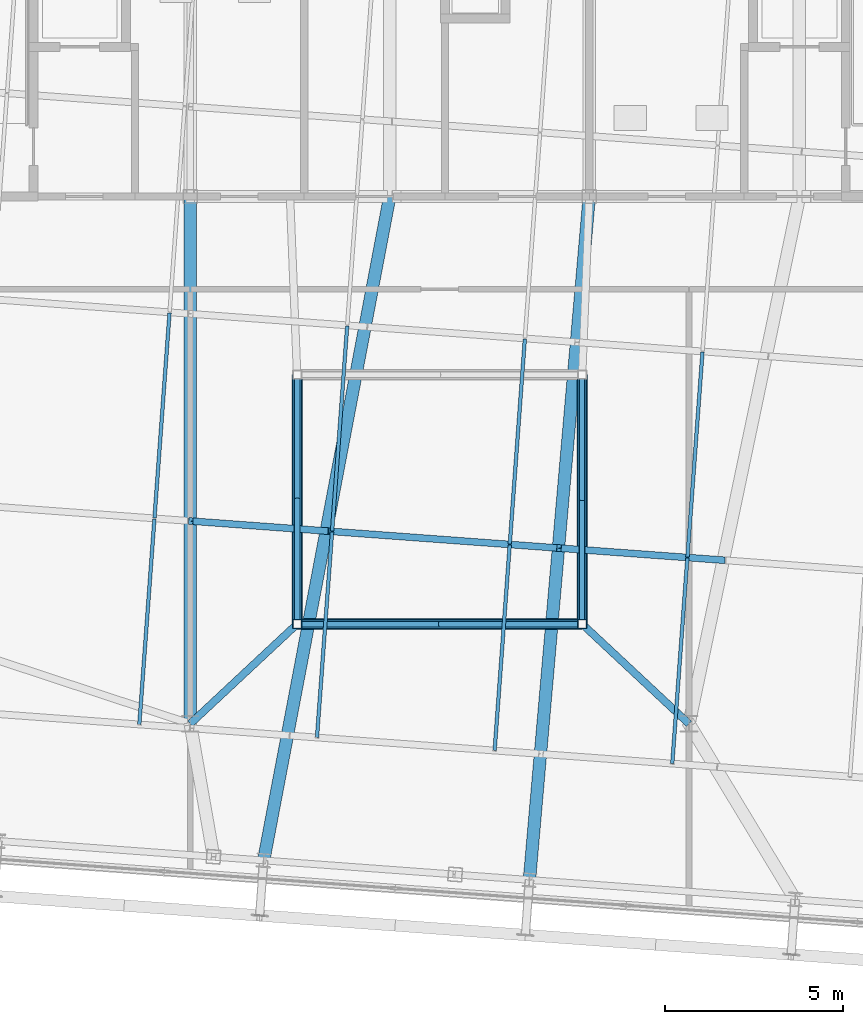
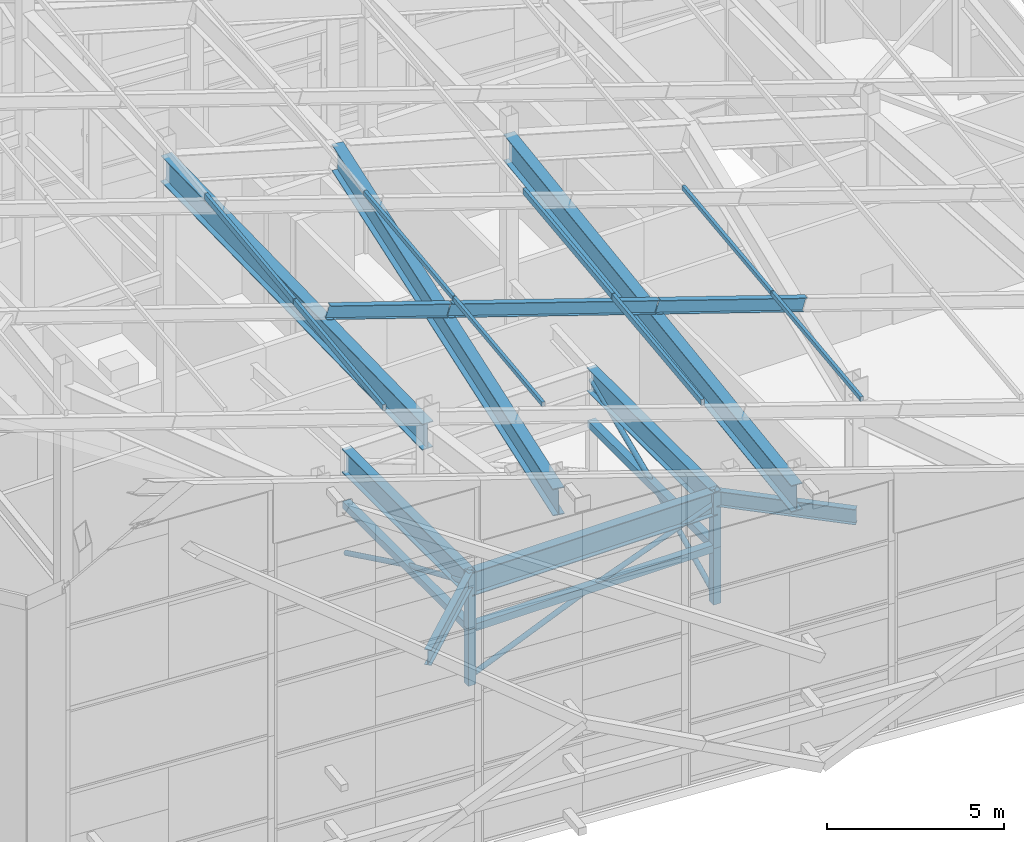
# One storey, part 12 of 56: 24 members, 8 beams.
"""IFC4 building model written with IfcOpenShell, lengths in metres."""

from ifc_helpers import new_model, si_unit, direction, frame, origin, origin_2d, place, context, subcontext, project, spatial, hollow_rectangle, hollow_circle, i_section, extrude, source, transform, mapped, material, material_profile, profile_set, type_object, element, save


model = new_model("IFC4")

# Units and contexts
model_context = context("Model", 3, precision=1e-05, world=origin(), true_north=direction((0.0, 1.0)))
body_context = subcontext(model_context, "Body", "Model", "MODEL_VIEW")
ifc_project = project(units=[si_unit("LENGTHUNIT", "METRE"), si_unit("AREAUNIT", "SQUARE_METRE"), si_unit("VOLUMEUNIT", "CUBIC_METRE"), si_unit("PLANEANGLEUNIT", "RADIAN"), si_unit("MASSUNIT", "GRAM", prefix="KILO")], contexts=[model_context])

# Site, building, storey
site_placement = place(None, origin())
site = spatial("IfcSite", under=ifc_project, at=site_placement, CompositionType="ELEMENT")
building_placement = place(site_placement, origin())
building = spatial("IfcBuilding", under=site, at=building_placement, Name="Taldren Reach Tower", CompositionType="ELEMENT")
storey_placement = place(building_placement, frame((0.0, 0.0, 253.050048828125)))
storey = spatial("IfcBuildingStorey", under=building, at=storey_placement, Name="L77", CompositionType="ELEMENT", Elevation=253.050048828125)

# Beams
ifc_material_1 = material(Name="Steel Gr 350 (350PLUS)", Category="steel")
ifc_material_profile_1 = material_profile(ifc_material_1, i_section(OverallWidth=0.35009765625, OverallDepth=0.916015625, WebThickness=0.013916015625, FlangeThickness=0.028076171875, at=origin_2d()), Name="900WB257")
ifc_profile_set_1 = profile_set([ifc_material_profile_1], Name="Steel Gr 350 (350PLUS)")
beam_type_1 = type_object("IfcBeamType", Name="BM-WB900", PredefinedType="BEAM", material=ifc_profile_set_1)
shared_shape_1 = source(origin(), body_context, "Body", "SweptSolid", [
    extrude(i_section(OverallWidth=0.35009765625, OverallDepth=0.916015625, WebThickness=0.013916015625, FlangeThickness=0.028076171875, at=origin_2d()), origin(), (0.0, 0.0, 1.0), 14.80322265625),
])
beam_1_placement = place(storey_placement, frame((28.0, 9.199951171875, 11.290283203125), z_axis=(0.0, 0.999779933136, 0.020978210108), x_axis=(-1.0, 0.0, 0.0)))
element("IfcBeam", 1, at=beam_1_placement, inside=storey, type_object=beam_type_1, Name="Crown transverse portal girder PF2-2", PredefinedType="BEAM", context=body_context, shape_type="MappedRepresentation", body=[
    mapped(shared_shape_1, transform((0.0, 0.0, 0.0), scale=1.0)),
])
shared_shape_2 = source(origin(), body_context, "Body", "SweptSolid", [
    extrude(i_section(OverallWidth=0.35009765625, OverallDepth=0.916015625, WebThickness=0.013916015625, FlangeThickness=0.028076171875, at=origin_2d()), origin(), (0.0, 0.0, 1.0), 18.978759765625),
])
beam_2_placement = place(storey_placement, frame((30.060546875, 5.364501953125, 10.62060546875), z_axis=(0.186500109641, 0.981910599324, -0.032699908864), x_axis=(-0.982435991372, 0.186599900472, 0.0)))
element("IfcBeam", 2, at=beam_2_placement, inside=storey, type_object=beam_type_1, Name="Crown transverse portal girder PF3-1", PredefinedType="BEAM", context=body_context, shape_type="MappedRepresentation", body=[
    mapped(shared_shape_2, transform((0.0, 0.0, 0.0), scale=1.0)),
])
shared_shape_3 = source(origin(), body_context, "Body", "SweptSolid", [
    extrude(i_section(OverallWidth=0.35009765625, OverallDepth=0.916015625, WebThickness=0.013916015625, FlangeThickness=0.028076171875, at=origin_2d()), origin(), (0.0, 0.0, 1.0), 19.256591796875),
])
beam_3_placement = place(storey_placement, frame((37.5205078125, 4.81689453125, 8.476318359375), z_axis=(0.08721374298, 0.99618151489, -0.004019008072), x_axis=(-0.996189560362, 0.087214447346, 0.0)))
element("IfcBeam", 3, at=beam_3_placement, inside=storey, type_object=beam_type_1, Name="Crown transverse portal girder PF4-1", PredefinedType="BEAM", context=body_context, shape_type="MappedRepresentation", body=[
    mapped(shared_shape_3, transform((0.0, 0.0, 0.0), scale=1.0)),
])

# Members
ifc_material_profile_2 = material_profile(ifc_material_1, i_section(OverallWidth=0.19091796875, OverallDepth=0.4599609375, WebThickness=0.010009765625, FlangeThickness=0.01611328125, at=origin_2d()), Name="460UB82.1")
ifc_profile_set_2 = profile_set([ifc_material_profile_2], Name="Steel Gr 350 (350PLUS)")
member_type_1 = type_object("IfcMemberType", Name="MB-RAF460", PredefinedType="RAFTER", material=ifc_profile_set_2)
shared_shape_4 = source(origin(), body_context, "Body", "SweptSolid", [
    extrude(i_section(OverallWidth=0.19091796875, OverallDepth=0.4599609375, WebThickness=0.010009765625, FlangeThickness=0.01611328125, at=origin_2d()), origin(), (0.0, 0.0, 1.0), 4.7939453125),
])
member_1_placement = place(storey_placement, frame((42.947021484375, 13.79345703125, 7.840576171875), z_axis=(-0.958702071216, 0.070381209159, 0.27556636958), x_axis=(-0.073215982031, -0.99731610835, 0.0)))
element("IfcMember", 4, at=member_1_placement, inside=storey, type_object=member_type_1, Name="Crown sloped rafter RF-2.3", PredefinedType="RAFTER", context=body_context, shape_type="MappedRepresentation", body=[
    mapped(shared_shape_4, transform((0.0, 0.0, 0.0), scale=1.0)),
])
shared_shape_5 = source(origin(), body_context, "Body", "SweptSolid", [
    extrude(i_section(OverallWidth=0.19091796875, OverallDepth=0.4599609375, WebThickness=0.010009765625, FlangeThickness=0.01611328125, at=origin_2d()), origin(), (0.0, 0.0, 1.0), 6.76904296875),
])
member_2_placement = place(storey_placement, frame((38.321044921875, 14.133056640625, 9.170166015625), z_axis=(-0.958704026994, 0.070403305395, 0.275553920704), x_axis=(-0.073238696361, -0.997314440563, 0.0)))
element("IfcMember", 5, at=member_2_placement, inside=storey, type_object=member_type_1, Name="Crown sloped rafter RF-2.4", PredefinedType="RAFTER", context=body_context, shape_type="MappedRepresentation", body=[
    mapped(shared_shape_5, transform((0.0, 0.0, 0.0), scale=1.0)),
])
shared_shape_6 = source(origin(), body_context, "Body", "SweptSolid", [
    extrude(i_section(OverallWidth=0.19091796875, OverallDepth=0.4599609375, WebThickness=0.010009765625, FlangeThickness=0.01611328125, at=origin_2d()), origin(), (0.0, 0.0, 1.0), 3.949951171875),
])
member_3_placement = place(storey_placement, frame((31.8017578125, 14.61181640625, 11.044189453125), z_axis=(-0.958707945804, 0.070399609972, 0.275541230249), x_axis=(-0.07323457498, -0.997314743212, 0.0)))
element("IfcMember", 6, at=member_3_placement, inside=storey, type_object=member_type_1, Name="Crown sloped rafter RF-2.5", PredefinedType="RAFTER", context=body_context, shape_type="MappedRepresentation", body=[
    mapped(shared_shape_6, transform((0.0, 0.0, 0.0), scale=1.0)),
])
ifc_material_2 = material(Name="Steel Gr 350 (C350L0)", Category="steel")
ifc_material_profile_3 = material_profile(ifc_material_2, hollow_rectangle(XDim=0.10009765625, YDim=0.199951171875, WallThickness=0.006103515625, at=origin_2d()), Name="200x100x6.0RHS")
ifc_profile_set_3 = profile_set([ifc_material_profile_3], Name="Steel Gr 350 (C350L0)")
member_type_2 = type_object("IfcMemberType", Name="MB-PUR200", PredefinedType="PURLIN", material=ifc_profile_set_3)
shared_shape_7 = source(origin(), body_context, "Body", "SweptSolid", [
    extrude(hollow_rectangle(XDim=0.10009765625, YDim=0.199951171875, WallThickness=0.006103515625, at=origin_2d()), origin(), (0.0, 0.0, 1.0), 5.78515625),
])
for number, where, z_axis, x_axis, name in (
    (7, (26.570556640625, 9.180419921875, 12.77587890625), (0.07322033234, 0.997315788972, 0.0), (-0.997315788972, 0.07322033234, 0.0), "Crown roof purlin PR-3.1"),
    (8, (36.543701171875, 8.447998046875, 9.9091796875), (0.07322033234, 0.997315788972, 0.0), (-0.997315788972, 0.07322033234, 0.0), "Crown roof purlin PR-5.1"),
):
    element("IfcMember", number, at=place(storey_placement, frame(where, z_axis=z_axis, x_axis=x_axis)), inside=storey, type_object=member_type_2, Name=name, PredefinedType="PURLIN", context=body_context, shape_type="MappedRepresentation", body=[
        mapped(shared_shape_7, transform((0.0, 0.0, 0.0), scale=1.0)),
    ])
shared_shape_8 = source(origin(), body_context, "Body", "SweptSolid", [
    extrude(hollow_rectangle(XDim=0.10009765625, YDim=0.199951171875, WallThickness=0.006103515625, at=origin_2d()), origin(), (0.0, 0.0, 1.0), 5.77001953125),
])
member_4_placement = place(storey_placement, frame((26.996337890625, 14.979736328125, 12.77587890625), z_axis=(0.073240468007, 0.997314310459, 0.0), x_axis=(-0.997314310459, 0.073240468007, 0.0)))
element("IfcMember", 9, at=member_4_placement, inside=storey, type_object=member_type_2, Name="Crown roof purlin PR-3.2", PredefinedType="PURLIN", context=body_context, shape_type="MappedRepresentation", body=[
    mapped(shared_shape_8, transform((0.0, 0.0, 0.0), scale=1.0)),
])
ifc_material_profile_4 = material_profile(ifc_material_2, hollow_rectangle(XDim=0.10009765625, YDim=0.14990234375, WallThickness=0.0048828125, at=origin_2d()), Name="150x100x5.0RHS")
ifc_profile_set_4 = profile_set([ifc_material_profile_4], Name="Steel Gr 350 (C350L0)")
member_type_3 = type_object("IfcMemberType", Name="MB-PUR150", PredefinedType="PURLIN", material=ifc_profile_set_4)
shared_shape_9 = source(origin(), body_context, "Body", "SweptSolid", [
    extrude(hollow_rectangle(XDim=0.10009765625, YDim=0.14990234375, WallThickness=0.0048828125, at=origin_2d()), origin(), (0.0, 0.0, 1.0), 5.78515625),
])
for number, where, z_axis, x_axis, name in (
    (10, (31.55712890625, 8.814208984375, 11.368408203125), (0.07322033234, 0.997315788972, 0.0), (-0.997315788972, 0.07322033234, 0.0), "Crown roof purlin PR-4.1"),
    (11, (41.5302734375, 8.081787109375, 8.501953125), (0.07322033234, 0.997315788972, 0.0), (-0.997315788972, 0.07322033234, 0.0), "Crown roof purlin PR-6.1"),
):
    element("IfcMember", number, at=place(storey_placement, frame(where, z_axis=z_axis, x_axis=x_axis)), inside=storey, type_object=member_type_3, Name=name, PredefinedType="PURLIN", context=body_context, shape_type="MappedRepresentation", body=[
        mapped(shared_shape_9, transform((0.0, 0.0, 0.0), scale=1.0)),
    ])
shared_shape_10 = source(origin(), body_context, "Body", "SweptSolid", [
    extrude(hollow_rectangle(XDim=0.10009765625, YDim=0.14990234375, WallThickness=0.0048828125, at=origin_2d()), origin(), (0.0, 0.0, 1.0), 5.77001953125),
])
member_5_placement = place(storey_placement, frame((31.98291015625, 14.613525390625, 11.368408203125), z_axis=(0.073240468007, 0.997314310459, 0.0), x_axis=(-0.997314310459, 0.073240468007, 0.0)))
element("IfcMember", 12, at=member_5_placement, inside=storey, type_object=member_type_3, Name="Crown roof purlin PR-4.2", PredefinedType="PURLIN", context=body_context, shape_type="MappedRepresentation", body=[
    mapped(shared_shape_10, transform((0.0, 0.0, 0.0), scale=1.0)),
])
shared_shape_11 = source(origin(), body_context, "Body", "SweptSolid", [
    extrude(hollow_rectangle(XDim=0.10009765625, YDim=0.199951171875, WallThickness=0.006103515625, at=origin_2d()), origin(), (0.0, 0.0, 1.0), 5.769775390625),
])
member_6_placement = place(storey_placement, frame((36.969482421875, 14.24755859375, 9.9091796875), z_axis=(0.073243558698, 0.997314083481, 0.0), x_axis=(-0.997314083481, 0.073243558698, 0.0)))
element("IfcMember", 13, at=member_6_placement, inside=storey, type_object=member_type_2, Name="Crown roof purlin PR-5.2", PredefinedType="PURLIN", context=body_context, shape_type="MappedRepresentation", body=[
    mapped(shared_shape_11, transform((0.0, 0.0, 0.0), scale=1.0)),
])
shared_shape_12 = source(origin(), body_context, "Body", "SweptSolid", [
    extrude(hollow_rectangle(XDim=0.10009765625, YDim=0.14990234375, WallThickness=0.0048828125, at=origin_2d()), origin(), (0.0, 0.0, 1.0), 5.769775390625),
])
member_7_placement = place(storey_placement, frame((41.9560546875, 13.88134765625, 8.501953125), z_axis=(0.073243558698, 0.997314083481, 0.0), x_axis=(-0.997314083481, 0.073243558698, 0.0)))
element("IfcMember", 14, at=member_7_placement, inside=storey, type_object=member_type_3, Name="Crown roof purlin PR-6.2", PredefinedType="PURLIN", context=body_context, shape_type="MappedRepresentation", body=[
    mapped(shared_shape_12, transform((0.0, 0.0, 0.0), scale=1.0)),
])
ifc_material_profile_5 = material_profile(ifc_material_2, hollow_rectangle(XDim=0.25, YDim=0.25, WallThickness=0.010009765625, at=origin_2d()), Name="250x250x10.0SHS")
ifc_profile_set_5 = profile_set([ifc_material_profile_5], Name="Steel Gr 350 (C350L0)")
member_type_4 = type_object("IfcMemberType", Name="MB-POST250", PredefinedType="POST", material=ifc_profile_set_5)
shared_shape_13 = source(origin(), body_context, "Body", "SweptSolid", [
    extrude(hollow_rectangle(XDim=0.25, YDim=0.25, WallThickness=0.010009765625, at=origin_2d()), origin(), (0.0, 0.0, 1.0), 1.949951171875),
])
for number, where, z_axis, x_axis, name in (
    (15, (31.0, 12.0, 0.0), (0.0, 0.0, 1.0), (1.0, 0.0, 0.0), "Tuned mass damper gantry post TMD-P1"),
    (16, (31.0, 12.0, 1.949951171875), (0.0, 0.0, 1.0), (1.0, 0.0, 0.0), "Tuned mass damper gantry upper post TMD-PU1"),
    (17, (39.0, 12.0, 0.0), (0.0, 0.0, 1.0), (1.0, 0.0, 0.0), "Tuned mass damper gantry post TMD-P2"),
    (18, (39.0, 12.0, 1.949951171875), (0.0, 0.0, 1.0), (1.0, 0.0, 0.0), "Tuned mass damper gantry upper post TMD-PU2"),
):
    element("IfcMember", number, at=place(storey_placement, frame(where, z_axis=z_axis, x_axis=x_axis)), inside=storey, type_object=member_type_4, Name=name, PredefinedType="POST", context=body_context, shape_type="MappedRepresentation", body=[
        mapped(shared_shape_13, transform((0.0, 0.0, 0.0), scale=1.0)),
    ])

# Beam
ifc_material_profile_6 = material_profile(ifc_material_1, i_section(OverallWidth=0.300048828125, OverallDepth=0.81591796875, WebThickness=0.011962890625, FlangeThickness=0.02392578125, at=origin_2d()), Name="800WB192")
ifc_profile_set_6 = profile_set([ifc_material_profile_6], Name="Steel Gr 350 (350PLUS)")
beam_type_2 = type_object("IfcBeamType", Name="BM-WB800", PredefinedType="BEAM", material=ifc_profile_set_6)
shared_shape_14 = source(origin(), body_context, "Body", "SweptSolid", [
    extrude(i_section(OverallWidth=0.300048828125, OverallDepth=0.81591796875, WebThickness=0.011962890625, FlangeThickness=0.02392578125, at=origin_2d()), origin(), (0.0, 0.0, 1.0), 8.0),
])
beam_4_placement = place(storey_placement, frame((31.0, 12.0, 3.491943359375), z_axis=(1.0, 0.0, 0.0), x_axis=(0.0, 1.0, 0.0)))
element("IfcBeam", 19, at=beam_4_placement, inside=storey, type_object=beam_type_2, Name="Tuned mass damper ring girder TMD-G1", PredefinedType="BEAM", context=body_context, shape_type="MappedRepresentation", body=[
    mapped(shared_shape_14, transform((0.0, 0.0, 0.0), scale=1.0)),
])

# Members
shared_shape_15 = source(origin(), body_context, "Body", "SweptSolid", [
    extrude(hollow_rectangle(XDim=0.25, YDim=0.25, WallThickness=0.010009765625, at=origin_2d()), origin(), (0.0, 0.0, 1.0), 8.0),
])
member_8_placement = place(storey_placement, frame((31.0, 12.0, 1.949951171875), z_axis=(1.0, 0.0, 0.0), x_axis=(0.0, 1.0, 0.0)))
element("IfcMember", 20, at=member_8_placement, inside=storey, type_object=member_type_4, Name="Tuned mass damper mid girt TMD-M1", PredefinedType="POST", context=body_context, shape_type="MappedRepresentation", body=[
    mapped(shared_shape_15, transform((0.0, 0.0, 0.0), scale=1.0)),
])
ifc_material_profile_7 = material_profile(ifc_material_2, hollow_circle(Radius=0.084228515625, WallThickness=0.00634765625, at=origin_2d()), Name="168x6.4CHS")
ifc_profile_set_7 = profile_set([ifc_material_profile_7], Name="Steel Gr 350 (C350L0)")
member_type_5 = type_object("IfcMemberType", Name="MB-STR168", PredefinedType="STRUT", material=ifc_profile_set_7)
shared_shape_16 = source(origin(), body_context, "Body", "SweptSolid", [
    extrude(hollow_circle(Radius=0.084228515625, WallThickness=0.00634765625, at=origin_2d()), origin(), (0.0, 0.0, 1.0), 4.34619140625),
])
member_9_placement = place(storey_placement, frame((31.0, 12.0, 0.25), z_axis=(0.920334962612, 0.0, 0.391131124553), x_axis=(0.0, 1.0, 0.0)))
element("IfcMember", 21, at=member_9_placement, inside=storey, type_object=member_type_5, Name="Tuned mass damper sway brace TMD-B1", PredefinedType="STRUT", context=body_context, shape_type="MappedRepresentation", body=[
    mapped(shared_shape_16, transform((0.0, 0.0, 0.0), scale=1.0)),
])
shared_shape_17 = source(origin(), body_context, "Body", "SweptSolid", [
    extrude(hollow_circle(Radius=0.084228515625, WallThickness=0.00634765625, at=origin_2d()), origin(), (0.0, 0.0, 1.0), 4.27197265625),
])
member_10_placement = place(storey_placement, frame((35.0, 12.0, 1.949951171875), z_axis=(0.936329177569, 0.0, 0.351123441588), x_axis=(0.0, 1.0, 0.0)))
element("IfcMember", 22, at=member_10_placement, inside=storey, type_object=member_type_5, Name="Tuned mass damper upper sway brace TMD-BU1", PredefinedType="STRUT", context=body_context, shape_type="MappedRepresentation", body=[
    mapped(shared_shape_17, transform((0.0, 0.0, 0.0), scale=1.0)),
])

# Beams
shared_shape_18 = source(origin(), body_context, "Body", "SweptSolid", [
    extrude(i_section(OverallWidth=0.300048828125, OverallDepth=0.81591796875, WebThickness=0.011962890625, FlangeThickness=0.02392578125, at=origin_2d()), origin(), (0.0, 0.0, 1.0), 7.0),
])
for number, where, z_axis, x_axis, name in (
    (23, (39.0, 12.0, 3.491943359375), (0.0, 1.0, 0.0), (-1.0, 0.0, 0.0), "Tuned mass damper ring girder TMD-G2"),
    (24, (31.0, 19.0, 3.491943359375), (0.0, -1.0, 0.0), (1.0, 0.0, 0.0), "Tuned mass damper ring girder TMD-G4"),
):
    element("IfcBeam", number, at=place(storey_placement, frame(where, z_axis=z_axis, x_axis=x_axis)), inside=storey, type_object=beam_type_2, Name=name, PredefinedType="BEAM", context=body_context, shape_type="MappedRepresentation", body=[
        mapped(shared_shape_18, transform((0.0, 0.0, 0.0), scale=1.0)),
    ])

# Members
shared_shape_19 = source(origin(), body_context, "Body", "SweptSolid", [
    extrude(hollow_rectangle(XDim=0.25, YDim=0.25, WallThickness=0.010009765625, at=origin_2d()), origin(), (0.0, 0.0, 1.0), 7.0),
])
for number, where, z_axis, x_axis, name in (
    (25, (39.0, 12.0, 1.949951171875), (0.0, 1.0, 0.0), (-1.0, 0.0, 0.0), "Tuned mass damper mid girt TMD-M2"),
    (26, (31.0, 19.0, 1.949951171875), (0.0, -1.0, 0.0), (1.0, 0.0, 0.0), "Tuned mass damper mid girt TMD-M4"),
):
    element("IfcMember", number, at=place(storey_placement, frame(where, z_axis=z_axis, x_axis=x_axis)), inside=storey, type_object=member_type_4, Name=name, PredefinedType="POST", context=body_context, shape_type="MappedRepresentation", body=[
        mapped(shared_shape_19, transform((0.0, 0.0, 0.0), scale=1.0)),
    ])
shared_shape_20 = source(origin(), body_context, "Body", "SweptSolid", [
    extrude(hollow_circle(Radius=0.084228515625, WallThickness=0.00634765625, at=origin_2d()), origin(), (0.0, 0.0, 1.0), 3.89111328125),
])
for number, where, z_axis, x_axis, name in (
    (27, (39.0, 12.0, 0.25), (0.0, 0.899513090263, 0.436893809117), (-1.0, 0.0, 0.0), "Tuned mass damper sway brace TMD-B2"),
    (28, (31.0, 19.0, 0.25), (0.0, -0.899513090263, 0.436893809117), (1.0, 0.0, 0.0), "Tuned mass damper sway brace TMD-B4"),
):
    element("IfcMember", number, at=place(storey_placement, frame(where, z_axis=z_axis, x_axis=x_axis)), inside=storey, type_object=member_type_5, Name=name, PredefinedType="STRUT", context=body_context, shape_type="MappedRepresentation", body=[
        mapped(shared_shape_20, transform((0.0, 0.0, 0.0), scale=1.0)),
    ])
shared_shape_21 = source(origin(), body_context, "Body", "SweptSolid", [
    extrude(hollow_circle(Radius=0.084228515625, WallThickness=0.00634765625, at=origin_2d()), origin(), (0.0, 0.0, 1.0), 3.807861328125),
])
for number, where, z_axis, x_axis, name in (
    (29, (39.0, 15.5, 1.949951171875), (0.0, 0.919145030018, 0.393919298579), (-1.0, 0.0, 0.0), "Tuned mass damper upper sway brace TMD-BU2"),
    (30, (31.0, 15.5, 1.949951171875), (0.0, -0.919145030018, 0.393919298579), (1.0, 0.0, 0.0), "Tuned mass damper upper sway brace TMD-BU4"),
):
    element("IfcMember", number, at=place(storey_placement, frame(where, z_axis=z_axis, x_axis=x_axis)), inside=storey, type_object=member_type_5, Name=name, PredefinedType="STRUT", context=body_context, shape_type="MappedRepresentation", body=[
        mapped(shared_shape_21, transform((0.0, 0.0, 0.0), scale=1.0)),
    ])

# Beams
ifc_material_profile_8 = material_profile(ifc_material_1, i_section(OverallWidth=0.208984375, OverallDepth=0.532958984375, WebThickness=0.01025390625, FlangeThickness=0.015625, at=origin_2d()), Name="530UB92.4")
ifc_profile_set_8 = profile_set([ifc_material_profile_8], Name="Steel Gr 350 (350PLUS)")
beam_type_3 = type_object("IfcBeamType", Name="BM-UB530A", PredefinedType="BEAM", material=ifc_profile_set_8)
shared_shape_22 = source(origin(), body_context, "Body", "SweptSolid", [
    extrude(i_section(OverallWidth=0.208984375, OverallDepth=0.532958984375, WebThickness=0.01025390625, FlangeThickness=0.015625, at=origin_2d()), origin(), (0.0, 0.0, 1.0), 4.103759765625),
])
for number, where, z_axis, x_axis, name in (
    (31, (28.0, 9.199951171875, 3.633544921875), (0.731049333052, 0.682324609438, 0.0), (-0.682324609438, 0.731049333052, 0.0), "Tuned mass damper tie beam SW"),
    (32, (42.0, 9.199951171875, 3.633544921875), (-0.731049333052, 0.682324609438, 0.0), (-0.682324609438, -0.731049333052, 0.0), "Tuned mass damper tie beam SE"),
):
    element("IfcBeam", number, at=place(storey_placement, frame(where, z_axis=z_axis, x_axis=x_axis)), inside=storey, type_object=beam_type_3, Name=name, PredefinedType="BEAM", context=body_context, shape_type="MappedRepresentation", body=[
        mapped(shared_shape_22, transform((0.0, 0.0, 0.0), scale=1.0)),
    ])

save(model, "model.ifc")
